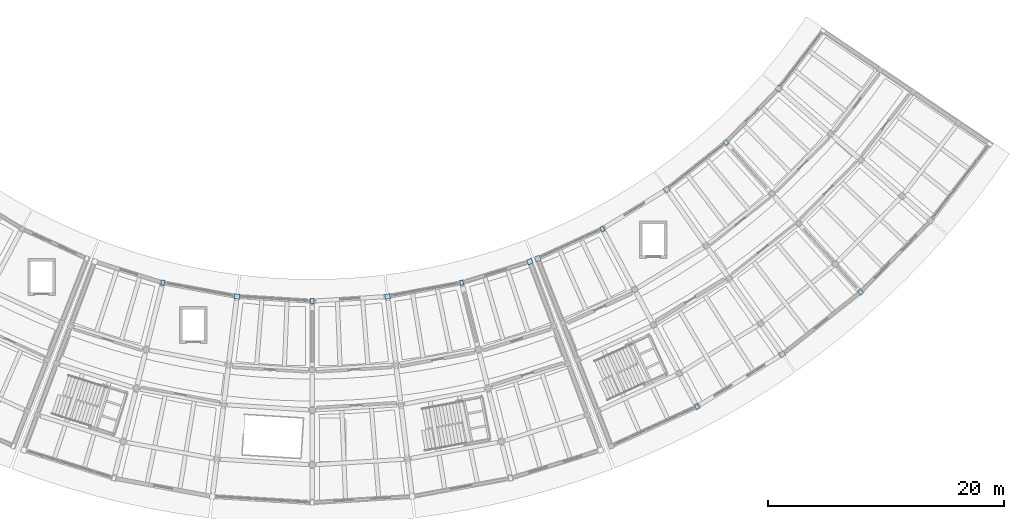
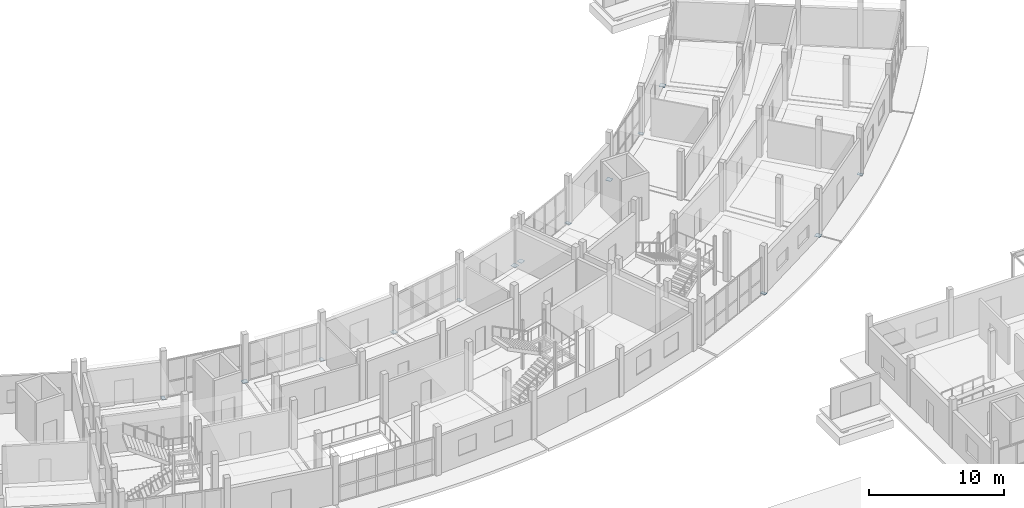
# One storey, part 61 of 92: 14 plates.
"""IFC4 building model written with IfcOpenShell, lengths in metres."""

from ifc_helpers import new_model, si_unit, direction, frame, origin, origin_2d, place, context, subcontext, project, spatial, rectangle, extrude, material, layer, layer_set, type_object, element, save


model = new_model("IFC4")

# Units and contexts
model_context = context("Model", 3, precision=1e-05, world=origin(), true_north=direction((0.0, 1.0)))
body_context = subcontext(model_context, "Body", "Model", "MODEL_VIEW")
ifc_project = project(units=[si_unit("LENGTHUNIT", "METRE"), si_unit("AREAUNIT", "SQUARE_METRE"), si_unit("VOLUMEUNIT", "CUBIC_METRE"), si_unit("PLANEANGLEUNIT", "RADIAN"), si_unit("MASSUNIT", "GRAM", prefix="KILO")], contexts=[model_context])

# Site, building, storey
site_placement = place(None, origin())
site = spatial("IfcSite", under=ifc_project, at=site_placement, CompositionType="ELEMENT")
building_placement = place(site_placement, origin())
building = spatial("IfcBuilding", under=site, at=building_placement, Name="Caldaven Crescent School", CompositionType="ELEMENT")
storey_placement = place(building_placement, origin())
storey = spatial("IfcBuildingStorey", under=building, at=storey_placement, Name="L00", CompositionType="ELEMENT", Elevation=0.0)

# Plates
ifc_material = material(Name="Steel ASTM A572 Grade 50", Category="steel")
ifc_layer_1 = layer(ifc_material, 0.01806640625)
ifc_layer_set_1 = layer_set([ifc_layer_1], Name="Steel ASTM A572 Grade 50")
plate_type_1 = type_object("IfcPlateType", Name="PLT-BAS2", PredefinedType="SHEET", material=ifc_layer_set_1)
for number, where, z_axis, x_axis, name in (
    (1, (81.60791015625, 43.94091796875, 0.0), (0.0, 0.0, 1.0), (-0.121869343405, -0.992546151641, 0.0), "PLT-SPL-V5-02-0"),
    (2, (94.39208984375, 43.94091796875, 0.0), (0.0, 0.0, 1.0), (0.121869343405, -0.992546151641, 0.0), "PLT-SPL-V5-04-0"),
    (3, (106.458740234375, 46.905517578125, 0.0), (0.0, 0.0, 1.0), (0.352005016254, -0.93599811353, 0.0), "PLT-SPL-V5-06-0"),
    (4, (107.133056640625, 47.164306640625, 0.0), (0.0, 0.0, 1.0), (0.364714278886, -0.931119484694, 0.0), "PLT-SPL-V4E-00-0"),
    (5, (118.083984375, 53.035400390625, 0.0), (0.0, 0.0, 1.0), (0.573576436351, -0.819152044289, 0.0), "PLT-SPL-V4E-02-0"),
    (6, (127.892333984375, 39.028076171875, 0.0), (0.0, 0.0, 1.0), (0.573576436351, -0.819152044289, 0.0), "PLT-SPL-V4E-02-4"),
    (7, (127.58447265625, 61.589599609375, 0.0), (0.0, 0.0, 1.0), (0.754709580223, -0.656059028991, 0.0), "PLT-SPL-V4E-04-0"),
):
    element("IfcPlate", number, at=place(storey_placement, frame(where, z_axis=z_axis, x_axis=x_axis)), inside=storey, type_object=plate_type_1, Name=name, PredefinedType="SHEET", context=body_context, shape_type="SweptSolid", body=[
        extrude(rectangle(XDim=0.43994140625, YDim=0.43994140625, at=origin_2d()), origin(), (0.0, 0.0, 1.0), 0.01806640625),
    ])
ifc_layer_2 = layer(ifc_material, 0.01611328125)
ifc_layer_set_2 = layer_set([ifc_layer_2], Name="Steel ASTM A572 Grade 50")
plate_type_2 = type_object("IfcPlateType", Name="PLT-SPL2", PredefinedType="SHEET", material=ifc_layer_set_2)
for number, where, z_axis, x_axis, name in (
    (8, (75.311279296875, 45.10791015625, 0.0009765625), (0.0, 0.0, 1.0), (-0.2419218956, -0.970295726276, 0.0), "PLT-SPL-V5-01-0"),
    (9, (88.0, 43.550048828125, 0.0009765625), (0.0, 0.0, 1.0), (0.0, -1.0, 0.0), "PLT-SPL-V5-03-0"),
    (10, (100.688720703125, 45.10791015625, 0.0009765625), (0.0, 0.0, 1.0), (0.2419218956, -0.970295726276, 0.0), "PLT-SPL-V5-05-0"),
    (11, (112.623779296875, 49.689453125, 0.0009765625), (0.0, 0.0, 1.0), (0.469471562786, -0.882947592859, 0.0), "PLT-SPL-V4E-01-0"),
    (12, (120.65185546875, 34.591064453125, 0.0009765625), (0.0, 0.0, 1.0), (0.469471562786, -0.882947592859, 0.0), "PLT-SPL-V4E-01-4"),
    (13, (123.095947265625, 57.02197265625, 0.0009765625), (0.0, 0.0, 1.0), (0.669130606359, -0.743144825477, 0.0), "PLT-SPL-V4E-03-0"),
    (14, (134.5380859375, 44.314208984375, 0.0009765625), (0.0, 0.0, 1.0), (0.669130606359, -0.743144825477, 0.0), "PLT-SPL-V4E-03-4"),
):
    element("IfcPlate", number, at=place(storey_placement, frame(where, z_axis=z_axis, x_axis=x_axis)), inside=storey, type_object=plate_type_2, Name=name, PredefinedType="SHEET", context=body_context, shape_type="SweptSolid", body=[
        extrude(rectangle(XDim=0.419921875, YDim=0.280029296875, at=origin_2d()), origin(), (0.0, 0.0, 1.0), 0.01611328125),
    ])

save(model, "model.ifc")
